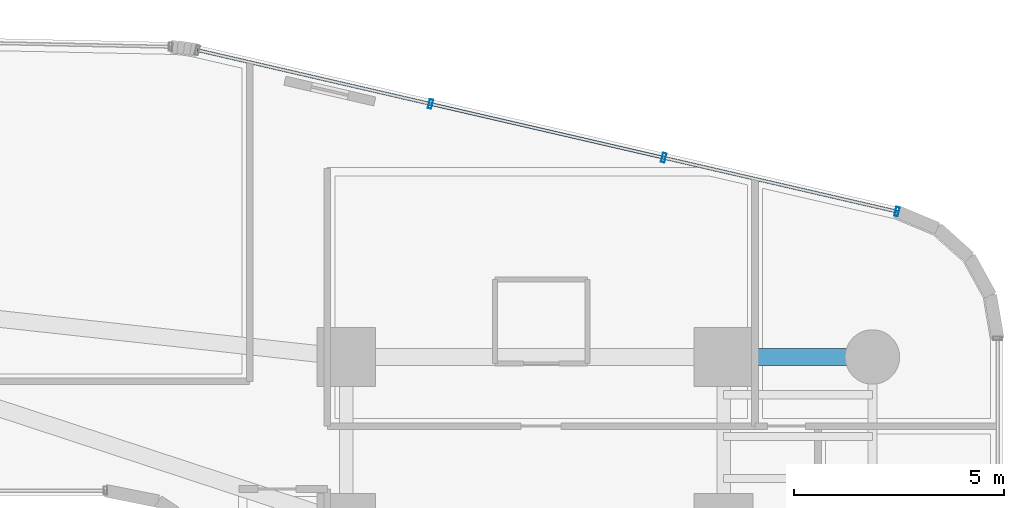
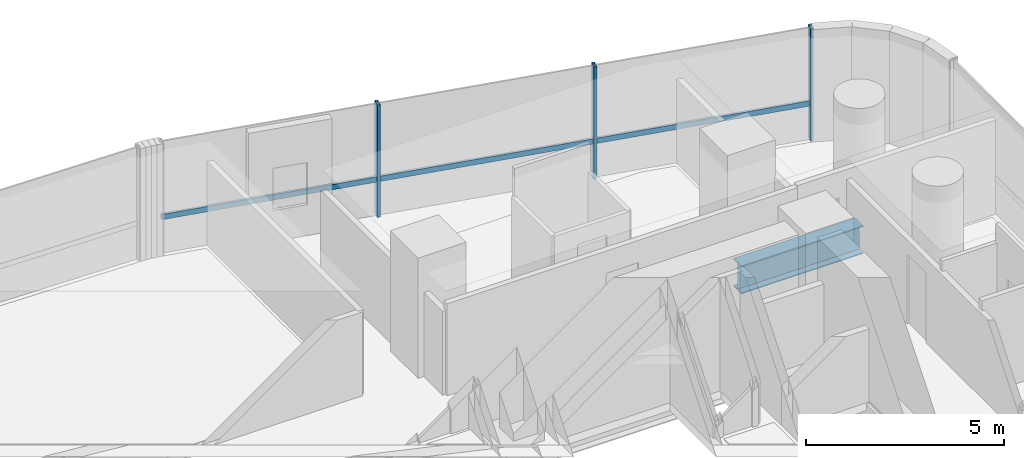
# One storey, part 24 of 41: 4 members, 1 beam, 1 element without a shape of its own.
"""IFC4 building model written with IfcOpenShell, lengths in metres."""

from ifc_helpers import new_model, si_unit, direction, frame, origin, origin_2d, place, context, subcontext, project, spatial, hollow_rectangle, i_section, extrude, source, transform, mapped, material, material_profile, profile_set, type_object, element, aggregate, save


model = new_model("IFC4")

# Units and contexts
model_context = context("Model", 3, precision=1e-05, world=origin(), true_north=direction((0.0, 1.0)))
body_context = subcontext(model_context, "Body", "Model", "MODEL_VIEW")
ifc_project = project(units=[si_unit("LENGTHUNIT", "METRE"), si_unit("AREAUNIT", "SQUARE_METRE"), si_unit("VOLUMEUNIT", "CUBIC_METRE"), si_unit("PLANEANGLEUNIT", "RADIAN"), si_unit("MASSUNIT", "GRAM", prefix="KILO")], contexts=[model_context])

# Site, building, storey
site_placement = place(None, origin())
site = spatial("IfcSite", under=ifc_project, at=site_placement, CompositionType="ELEMENT")
building_placement = place(site_placement, origin())
building = spatial("IfcBuilding", under=site, at=building_placement, Name="Valdorenza Pilgrim Sanctuary Tower", CompositionType="ELEMENT")
storey_placement = place(building_placement, frame((0.0, 0.0, 63.0)))
storey = spatial("IfcBuildingStorey", under=building, at=storey_placement, Name="L15", CompositionType="ELEMENT", Elevation=63.0)

# Beam
ifc_material_1 = material(Name="Steel ASTM A992 Grade 50", Category="steel")
ifc_material_profile_1 = material_profile(ifc_material_1, i_section(OverallWidth=0.39990234375, OverallDepth=0.862060546875, WebThickness=0.019775390625, FlangeThickness=0.032470703125, at=origin_2d()), Name="W33X221")
ifc_profile_set_1 = profile_set([ifc_material_profile_1], Name="Steel ASTM A992 Grade 50")
beam_type = type_object("IfcBeamType", Name="STR-BM-GRD-W33", PredefinedType="BEAM", material=ifc_profile_set_1)
shared_shape_1 = source(origin(), body_context, "Body", "SweptSolid", [
    extrude(i_section(OverallWidth=0.39990234375, OverallDepth=0.862060546875, WebThickness=0.019775390625, FlangeThickness=0.032470703125, at=origin_2d()), origin(), (0.0, 0.0, 1.0), 3.5498046875),
])
beam_placement = place(storey_placement, frame((24.85009765625, 13.5, -0.6708984375), z_axis=(1.0, 0.0, 0.0), x_axis=(0.0, 1.0, 0.0)))
element("IfcBeam", 1, at=beam_placement, inside=storey, type_object=beam_type, Name="L15 Floor Girder WB-XE-N2", PredefinedType="BEAM", context=body_context, shape_type="MappedRepresentation", body=[
    mapped(shared_shape_1, transform((0.0, 0.0, 0.0), x_axis=(1.0, 0.0, 0.0), y_axis=(0.0, 1.0, 0.0), z_axis=(0.0, 0.0, 1.0), scale=1.0)),
])

# Curtain wall, members
ifc_material_2 = material(Name="Curtain-wall IGU glazing", Category="glass")
curtain_wall_type = type_object("IfcCurtainWallType", Name="CW-SYS-03", PredefinedType="NOTDEFINED", material=ifc_material_2)
curtain_wall_placement = place(storey_placement, origin())
curtain_wall = element("IfcCurtainWall", 2, at=curtain_wall_placement, inside=storey, type_object=curtain_wall_type, Name="L15 Curtain Wall CW-L15-1-16", PredefinedType="NOTDEFINED")
ifc_material_3 = material(Name="Anodised aluminium AW-6060", Category="aluminium")
ifc_material_profile_2 = material_profile(ifc_material_3, hollow_rectangle(XDim=0.0849609375, YDim=0.219970703125, WallThickness=0.0048828125, at=origin_2d()), Name="ALU-M 220x85x5")
ifc_profile_set_2 = profile_set([ifc_material_profile_2], Name="Anodised aluminium AW-6060")
member_type_1 = type_object("IfcMemberType", Name="CW-MUL-03", PredefinedType="MULLION", material=ifc_profile_set_2)
shared_shape_2 = source(origin(), body_context, "Body", "SweptSolid", [
    extrude(hollow_rectangle(XDim=0.0849609375, YDim=0.219970703125, WallThickness=0.0048828125, at=origin_2d()), origin(), (0.0, 0.0, 1.0), 3.4599609375),
])
member_1_placement = place(storey_placement, frame((17.861328125, 19.534423828125, 0.0), z_axis=(0.0, 0.0, 1.0), x_axis=(0.974389691758, -0.224866023659, 0.0)))
member_1 = element("IfcMember", 3, at=member_1_placement, type_object=member_type_1, Name="CW-L15-1-16 Mullion 2", PredefinedType="MULLION", context=body_context, shape_type="MappedRepresentation", body=[
    mapped(shared_shape_2, transform((0.0, 0.0, 0.0), x_axis=(1.0, 0.0, 0.0), y_axis=(0.0, 1.0, 0.0), z_axis=(0.0, 0.0, 1.0), scale=1.0)),
])
member_2_placement = place(storey_placement, frame((23.423583984375, 18.2509765625, 0.0), z_axis=(0.0, 0.0, 1.0), x_axis=(0.974389691758, -0.224866023659, 0.0)))
member_2 = element("IfcMember", 4, at=member_2_placement, type_object=member_type_1, Name="CW-L15-1-16 Mullion 3", PredefinedType="MULLION", context=body_context, shape_type="MappedRepresentation", body=[
    mapped(shared_shape_2, transform((0.0, 0.0, 0.0), x_axis=(1.0, 0.0, 0.0), y_axis=(0.0, 1.0, 0.0), z_axis=(0.0, 0.0, 1.0), scale=1.0)),
])
member_3_placement = place(storey_placement, frame((28.98583984375, 16.96728515625, 0.0), z_axis=(0.0, 0.0, 1.0), x_axis=(0.974389691758, -0.224866023659, 0.0)))
member_3 = element("IfcMember", 5, at=member_3_placement, type_object=member_type_1, Name="CW-L15-1-16 Mullion 4", PredefinedType="MULLION", context=body_context, shape_type="MappedRepresentation", body=[
    mapped(shared_shape_2, transform((0.0, 0.0, 0.0), x_axis=(1.0, 0.0, 0.0), y_axis=(0.0, 1.0, 0.0), z_axis=(0.0, 0.0, 1.0), scale=1.0)),
])
ifc_material_profile_3 = material_profile(ifc_material_3, hollow_rectangle(XDim=0.074951171875, YDim=0.159912109375, WallThickness=0.00390625, at=origin_2d()), Name="ALU-T 160x75x4")
ifc_profile_set_3 = profile_set([ifc_material_profile_3], Name="Anodised aluminium AW-6060")
member_type_2 = type_object("IfcMemberType", Name="CW-TRN-03", PredefinedType="USERDEFINED", material=ifc_profile_set_3)
shared_shape_3 = source(origin(), body_context, "Body", "SweptSolid", [
    extrude(hollow_rectangle(XDim=0.074951171875, YDim=0.159912109375, WallThickness=0.00390625, at=origin_2d()), origin(), (0.0, 0.0, 1.0), 17.125244140625),
])
member_4_placement = place(storey_placement, frame((12.299072265625, 20.818115234375, 1.1201171875), z_axis=(0.974390715149, -0.224861589051, 0.0), x_axis=(0.224861589051, 0.974390715149, 0.0)))
member_4 = element("IfcMember", 6, at=member_4_placement, type_object=member_type_2, Name="CW-L15-1-16 Transom 1", ObjectType="TRANSOM", PredefinedType="USERDEFINED", context=body_context, shape_type="MappedRepresentation", body=[
    mapped(shared_shape_3, transform((0.0, 0.0, 0.0), x_axis=(1.0, 0.0, 0.0), y_axis=(0.0, 1.0, 0.0), z_axis=(0.0, 0.0, 1.0), scale=1.0)),
])
aggregate(curtain_wall, [member_1, member_2, member_3, member_4])

save(model, "model.ifc")
